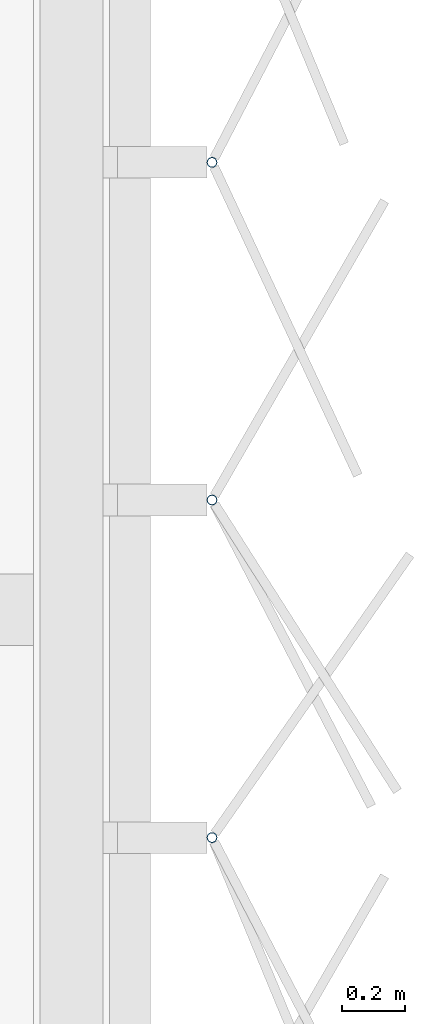
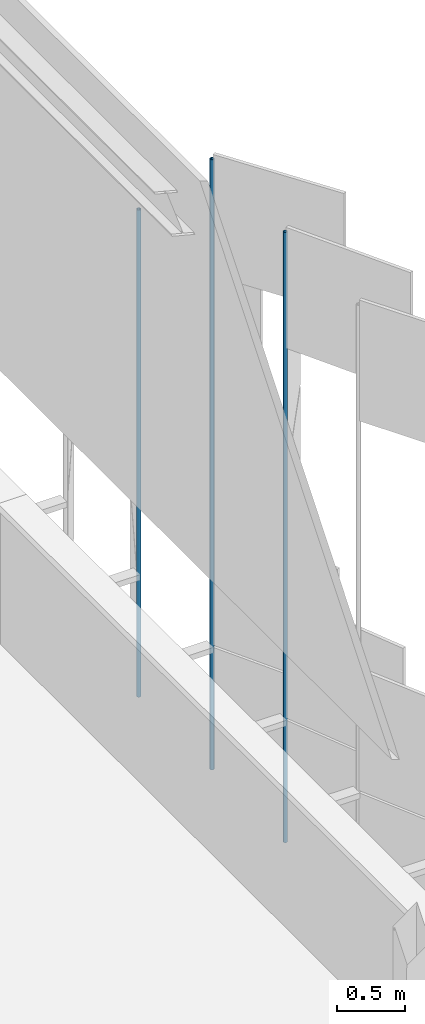
# One storey, part 181 of 483: 3 discrete accessories.
"""IFC4 building model written with IfcOpenShell, lengths in metres."""

from ifc_helpers import new_model, si_unit, direction, frame, origin, origin_2d, place, context, subcontext, project, spatial, hollow_circle, extrude, material, material_profile, profile_set, type_object, element, save


model = new_model("IFC4")

# Units and contexts
model_context = context("Model", 3, precision=1e-05, world=origin(), true_north=direction((0.0, 1.0)))
body_context = subcontext(model_context, "Body", "Model", "MODEL_VIEW")
ifc_project = project(units=[si_unit("LENGTHUNIT", "METRE"), si_unit("AREAUNIT", "SQUARE_METRE"), si_unit("VOLUMEUNIT", "CUBIC_METRE"), si_unit("PLANEANGLEUNIT", "RADIAN"), si_unit("MASSUNIT", "GRAM", prefix="KILO")], contexts=[model_context])

# Site, building, storey
site_placement = place(None, origin())
site = spatial("IfcSite", under=ifc_project, at=site_placement, CompositionType="ELEMENT")
building_placement = place(site_placement, origin())
building = spatial("IfcBuilding", under=site, at=building_placement, Name="Parallax Yard Mobility Hub", CompositionType="ELEMENT")
storey_placement = place(building_placement, frame((0.0, 0.0, 13.199951171875)))
storey = spatial("IfcBuildingStorey", under=building, at=storey_placement, Name="L04", CompositionType="ELEMENT", Elevation=13.199951171875)

# Discrete accessories
ifc_material = material(Name="Steel ASTM A500 Gr C, hot-dip galvanised", Category="steel")
ifc_material_profile = material_profile(ifc_material, hollow_circle(Radius=0.016845703125, WallThickness=0.003173828125, at=origin_2d()), Name="CHS 33.7x3.2")
ifc_profile_set = profile_set([ifc_material_profile], Name="Steel ASTM A500 Gr C, hot-dip galvanised")
discrete_accessory_type = type_object("IfcDiscreteAccessoryType", Name="Hinge post CHS 33.7x3.2", PredefinedType="BRACKET", material=ifc_profile_set)
for number, where, z_axis, x_axis, name in (
    (1, (225.300048828125, 49.276611328125, 0.0), (0.0, 0.0, 1.0), (1.0, 0.0, 0.0), "Hinge post bay 35.5 level L04"),
    (2, (225.300048828125, 50.348388671875, 0.0), (0.0, 0.0, 1.0), (1.0, 0.0, 0.0), "Hinge post bay 35.6 level L04"),
):
    element("IfcDiscreteAccessory", number, at=place(storey_placement, frame(where, z_axis=z_axis, x_axis=x_axis)), inside=storey, type_object=discrete_accessory_type, Name=name, PredefinedType="BRACKET", context=body_context, shape_type="SweptSolid", body=[
        extrude(hollow_circle(Radius=0.016845703125, WallThickness=0.003173828125, at=origin_2d()), origin(), (0.0, 0.0, 1.0), 5.449951171875),
    ])
discrete_accessory_placement = place(storey_placement, frame((225.300048828125, 51.420166015625, 0.0), z_axis=(0.0, 0.0, 1.0), x_axis=(1.0, 0.0, 0.0)))
element("IfcDiscreteAccessory", 3, at=discrete_accessory_placement, inside=storey, type_object=discrete_accessory_type, Name="Hinge post bay 35.7 level L04", PredefinedType="BRACKET", context=body_context, shape_type="SweptSolid", body=[
    extrude(hollow_circle(Radius=0.016845703125, WallThickness=0.003173828125, at=origin_2d()), origin(), (0.0, 0.0, 1.0), 4.35009765625),
])

save(model, "model.ifc")
